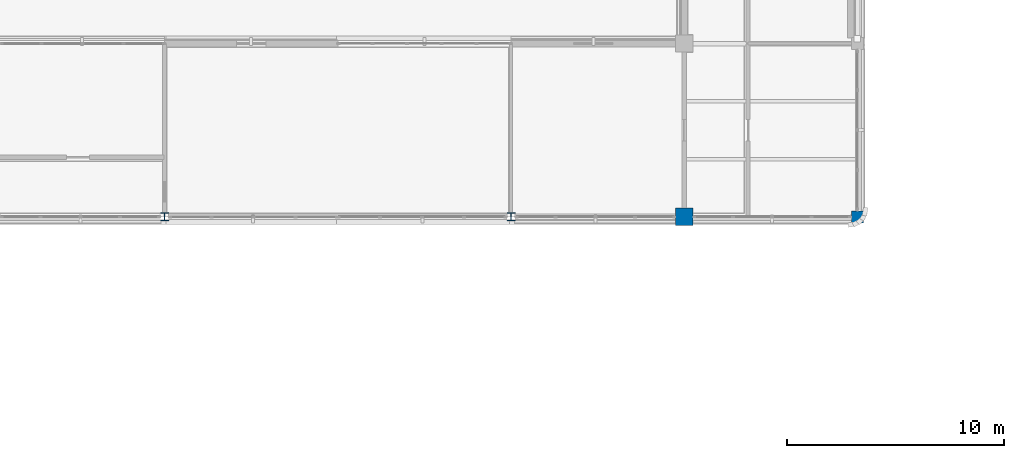
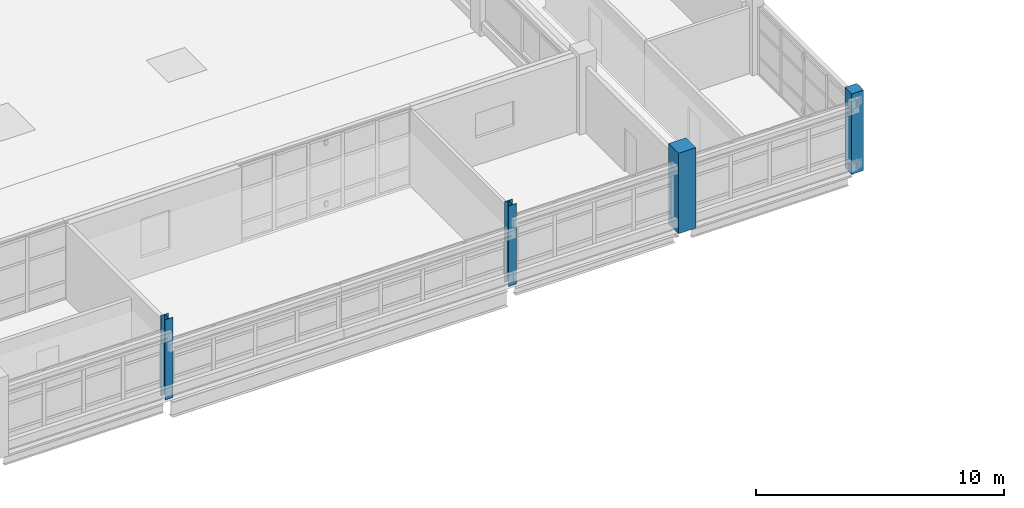
# One storey, part 2 of 107: 4 columns.
"""IFC4 building model written with IfcOpenShell, lengths in metres."""

from ifc_helpers import new_model, si_unit, derived_unit, direction, frame, origin, origin_2d, place, context, subcontext, project, spatial, rectangle, i_section, extrude, material, material_profile, profile_set, type_object, element, save


model = new_model("IFC4")

# Units and contexts
model_context = context("Model", 3, precision=1e-05, world=origin(), true_north=direction((0.0, 1.0)))
body_context = subcontext(model_context, "Body", "Model", "MODEL_VIEW")
ifc_project = project(units=[si_unit("LENGTHUNIT", "METRE"), si_unit("AREAUNIT", "SQUARE_METRE"), si_unit("VOLUMEUNIT", "CUBIC_METRE"), si_unit("PLANEANGLEUNIT", "RADIAN"), si_unit("MASSUNIT", "GRAM", prefix="KILO"), derived_unit("THERMALTRANSMITTANCEUNIT", [(si_unit("MASSUNIT", "GRAM", prefix="KILO"), 1), (si_unit("TIMEUNIT", "SECOND"), -3), (si_unit("THERMODYNAMICTEMPERATUREUNIT", "KELVIN"), -1)])], contexts=[model_context])

# Site, building, storey
site_placement = place(None, origin())
site = spatial("IfcSite", under=ifc_project, at=site_placement, CompositionType="ELEMENT")
building_placement = place(site_placement, origin())
building = spatial("IfcBuilding", under=site, at=building_placement, Name="Veyamyaing Civic Hall", CompositionType="ELEMENT")
storey_placement = place(building_placement, frame((0.0, 0.0, 13.860107421875)))
storey = spatial("IfcBuildingStorey", under=building, at=storey_placement, Name="L03", CompositionType="ELEMENT", Elevation=13.860107421875)

# Columns
ifc_material_1 = material(Name="Concrete C45/55", Category="concrete")
ifc_material_profile_1 = material_profile(ifc_material_1, rectangle(XDim=0.800048828125, YDim=0.800048828125, at=origin_2d()), Name="RC-COL-800X800")
ifc_profile_set_1 = profile_set([ifc_material_profile_1], Name="Concrete C45/55")
column_type_1 = type_object("IfcColumnType", Name="C-02", PredefinedType="COLUMN", material=ifc_profile_set_1)
column_1_placement = place(storey_placement, frame((104.0, 24.0, 0.0), z_axis=(0.0, 0.0, 1.0), x_axis=(1.0, 0.0, 0.0)))
element("IfcColumn", 1, at=column_1_placement, inside=storey, type_object=column_type_1, Name="Column C-02 14-D L03", PredefinedType="COLUMN", context=body_context, shape_type="SweptSolid", body=[
    extrude(rectangle(XDim=0.800048828125, YDim=0.800048828125, at=origin_2d()), origin(), (0.0, 0.0, 1.0), 3.9599609375),
])
ifc_material_profile_2 = material_profile(ifc_material_1, rectangle(XDim=0.550048828125, YDim=0.550048828125, at=origin_2d()), Name="RC-COL-550X550")
ifc_profile_set_2 = profile_set([ifc_material_profile_2], Name="Concrete C45/55")
column_type_2 = type_object("IfcColumnType", Name="C-07", PredefinedType="COLUMN", material=ifc_profile_set_2)
column_2_placement = place(storey_placement, frame((112.0, 24.0, 0.0), z_axis=(0.0, 0.0, 1.0), x_axis=(1.0, 0.0, 0.0)))
element("IfcColumn", 2, at=column_2_placement, inside=storey, type_object=column_type_2, Name="Column C-07 15-D L03", PredefinedType="COLUMN", context=body_context, shape_type="SweptSolid", body=[
    extrude(rectangle(XDim=0.550048828125, YDim=0.550048828125, at=origin_2d()), origin(), (0.0, 0.0, 1.0), 3.9599609375),
])
ifc_material_2 = material(Name="Steel S355J2", Category="steel")
ifc_material_profile_3 = material_profile(ifc_material_2, i_section(OverallWidth=0.368896484375, OverallDepth=0.35595703125, WebThickness=0.01123046875, FlangeThickness=0.01806640625, FilletRadius=0.014892578125, at=origin_2d()), Name="W360X134")
ifc_profile_set_3 = profile_set([ifc_material_profile_3], Name="Steel S355J2")
column_type_3 = type_object("IfcColumnType", Name="C-10", PredefinedType="COLUMN", material=ifc_profile_set_3)
for number, where, z_axis, x_axis, name in (
    (3, (80.0, 24.0, 0.0), (0.0, 0.0, 1.0), (1.0, 0.0, 0.0), "Column C-10 11-D L03"),
    (4, (96.0, 24.0, 0.0), (0.0, 0.0, 1.0), (1.0, 0.0, 0.0), "Column C-10 13-D L03"),
):
    element("IfcColumn", number, at=place(storey_placement, frame(where, z_axis=z_axis, x_axis=x_axis)), inside=storey, type_object=column_type_3, Name=name, PredefinedType="COLUMN", context=body_context, shape_type="SweptSolid", body=[
        extrude(i_section(OverallWidth=0.368896484375, OverallDepth=0.35595703125, WebThickness=0.01123046875, FlangeThickness=0.01806640625, FilletRadius=0.014892578125, at=origin_2d()), origin(), (0.0, 0.0, 1.0), 3.9599609375),
    ])

save(model, "model.ifc")
